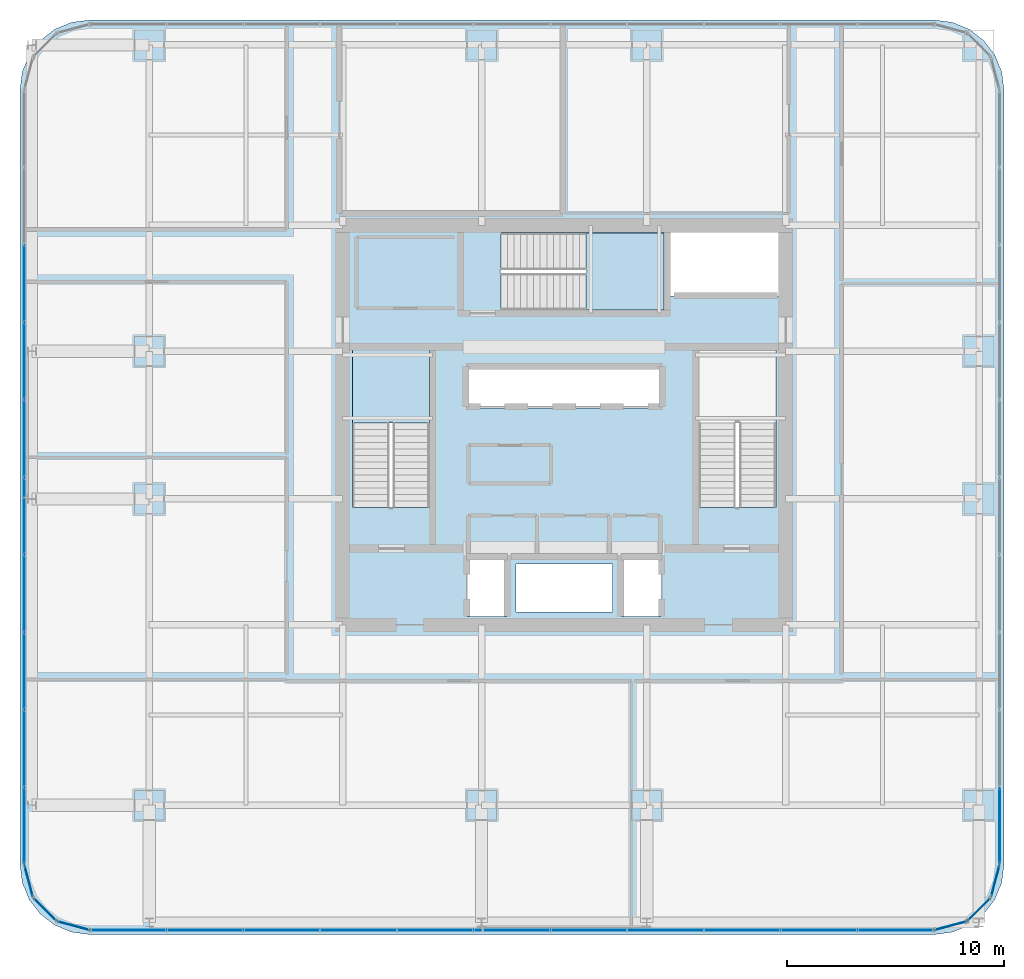
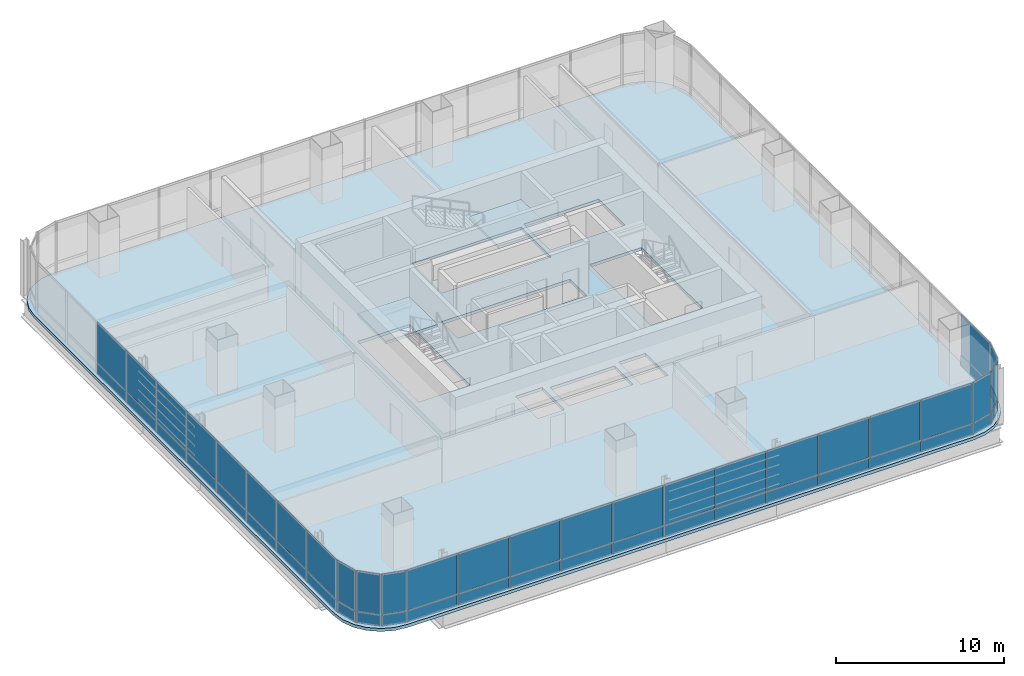
# One storey, part 27 of 36: 52 plates, 3 slabs, 11 elements without a shape of their own.
"""IFC4 building model written with IfcOpenShell, lengths in metres."""

from ifc_helpers import new_model, si_unit, direction, frame, origin, origin_2d, place, context, subcontext, project, spatial, polyline, rectangle, outline, extrude, material, layer, layer_set, type_object, element, aggregate, save


model = new_model("IFC4")

# Units and contexts
model_context = context("Model", 3, precision=1e-05, world=origin(), true_north=direction((0.0, 1.0)))
body_context = subcontext(model_context, "Body", "Model", "MODEL_VIEW")
ifc_project = project(units=[si_unit("LENGTHUNIT", "METRE"), si_unit("AREAUNIT", "SQUARE_METRE"), si_unit("VOLUMEUNIT", "CUBIC_METRE"), si_unit("PLANEANGLEUNIT", "RADIAN"), si_unit("MASSUNIT", "GRAM", prefix="KILO")], contexts=[model_context])

# Site, building, storey
site_placement = place(None, origin())
site = spatial("IfcSite", under=ifc_project, at=site_placement, CompositionType="ELEMENT")
building_placement = place(site_placement, origin())
building = spatial("IfcBuilding", under=site, at=building_placement, Name="Punatoya Terracotta Tower", CompositionType="ELEMENT")
storey_placement = place(building_placement, frame((0.0, 0.0, 184.35009765625)))
storey = spatial("IfcBuildingStorey", under=building, at=storey_placement, Name="L43", CompositionType="ELEMENT", Elevation=184.35009765625)

# Curtain wall, plates
ifc_material_1 = material(Name="Aluminium 6063-T6 + Double Low-E Glass", Category="aluminium")
curtain_wall_type = type_object("IfcCurtainWallType", Name="CW-M2", PredefinedType="NOTDEFINED", material=ifc_material_1)
curtain_wall_1_placement = place(storey_placement, origin())
curtain_wall_1 = element("IfcCurtainWall", 1, at=curtain_wall_1_placement, inside=storey, type_object=curtain_wall_type, Name="L43 Curtain Wall CW-L43-S01-1", PredefinedType="NOTDEFINED")
ifc_material_2 = material(Name="Double Low-E Acoustic Vision Glass", Category="glass")
ifc_layer_1 = layer(ifc_material_2, 0.031982421875)
ifc_layer_set_1 = layer_set([ifc_layer_1], Name="Double Low-E Acoustic Vision Glass")
plate_type_1 = type_object("IfcPlateType", Name="PLT-GLZ-32", PredefinedType="CURTAIN_PANEL", material=ifc_layer_set_1)
plate_1_placement = place(storey_placement, frame((-20.06982421875, -23.25, 0.889892578125), z_axis=(0.0, 0.0, 1.0), x_axis=(1.0, 0.0, 0.0)))
plate_1 = element("IfcPlate", 2, at=plate_1_placement, type_object=plate_type_1, Name="CW-L43-S01-1 Vision Glass Panel 1", PredefinedType="CURTAIN_PANEL", context=body_context, shape_type="SweptSolid", body=[
    extrude(rectangle(XDim=3.448974609375, YDim=0.031982421875, at=origin_2d()), origin(), (0.0, 0.0, 1.0), 2.89990234375),
])
plate_2_placement = place(storey_placement, frame((-16.535888671875, -23.25, 0.889892578125), z_axis=(0.0, 0.0, 1.0), x_axis=(1.0, 0.0, 0.0)))
plate_2 = element("IfcPlate", 3, at=plate_2_placement, type_object=plate_type_1, Name="CW-L43-S01-1 Vision Glass Panel 2", PredefinedType="CURTAIN_PANEL", context=body_context, shape_type="SweptSolid", body=[
    extrude(rectangle(XDim=3.448974609375, YDim=0.031982421875, at=origin_2d()), origin(), (0.0, 0.0, 1.0), 2.89990234375),
])
plate_3_placement = place(storey_placement, frame((-13.001953125, -23.25, 0.889892578125), z_axis=(0.0, 0.0, 1.0), x_axis=(1.0, 0.0, 0.0)))
plate_3 = element("IfcPlate", 4, at=plate_3_placement, type_object=plate_type_1, Name="CW-L43-S01-1 Vision Glass Panel 3", PredefinedType="CURTAIN_PANEL", context=body_context, shape_type="SweptSolid", body=[
    extrude(rectangle(XDim=3.448974609375, YDim=0.031982421875, at=origin_2d()), origin(), (0.0, 0.0, 1.0), 2.89990234375),
])
plate_4_placement = place(storey_placement, frame((-9.468017578125, -23.25, 0.889892578125), z_axis=(0.0, 0.0, 1.0), x_axis=(1.0, 0.0, 0.0)))
plate_4 = element("IfcPlate", 5, at=plate_4_placement, type_object=plate_type_1, Name="CW-L43-S01-1 Vision Glass Panel 4", PredefinedType="CURTAIN_PANEL", context=body_context, shape_type="SweptSolid", body=[
    extrude(rectangle(XDim=3.448974609375, YDim=0.031982421875, at=origin_2d()), origin(), (0.0, 0.0, 1.0), 2.89990234375),
])
plate_5_placement = place(storey_placement, frame((-5.93408203125, -23.25, 0.889892578125), z_axis=(0.0, 0.0, 1.0), x_axis=(1.0, 0.0, 0.0)))
plate_5 = element("IfcPlate", 6, at=plate_5_placement, type_object=plate_type_1, Name="CW-L43-S01-1 Vision Glass Panel 5", PredefinedType="CURTAIN_PANEL", context=body_context, shape_type="SweptSolid", body=[
    extrude(rectangle(XDim=3.448974609375, YDim=0.031982421875, at=origin_2d()), origin(), (0.0, 0.0, 1.0), 2.89990234375),
])
plate_6_placement = place(storey_placement, frame((-2.39990234375, -23.25, 0.889892578125), z_axis=(0.0, 0.0, 1.0), x_axis=(1.0, 0.0, 0.0)))
plate_6 = element("IfcPlate", 7, at=plate_6_placement, type_object=plate_type_1, Name="CW-L43-S01-1 Vision Glass Panel 6", PredefinedType="CURTAIN_PANEL", context=body_context, shape_type="SweptSolid", body=[
    extrude(rectangle(XDim=3.448974609375, YDim=0.031982421875, at=origin_2d()), origin(), (0.0, 0.0, 1.0), 2.89990234375),
])
plate_7_placement = place(storey_placement, frame((1.134033203125, -23.25, 0.889892578125), z_axis=(0.0, 0.0, 1.0), x_axis=(1.0, 0.0, 0.0)))
plate_7 = element("IfcPlate", 8, at=plate_7_placement, type_object=plate_type_1, Name="CW-L43-S01-1 Vision Glass Panel 7", PredefinedType="CURTAIN_PANEL", context=body_context, shape_type="SweptSolid", body=[
    extrude(rectangle(XDim=3.448974609375, YDim=0.031982421875, at=origin_2d()), origin(), (0.0, 0.0, 1.0), 2.89990234375),
])
plate_8_placement = place(storey_placement, frame((4.66796875, -23.25, 0.889892578125), z_axis=(0.0, 0.0, 1.0), x_axis=(1.0, 0.0, 0.0)))
plate_8 = element("IfcPlate", 9, at=plate_8_placement, type_object=plate_type_1, Name="CW-L43-S01-1 Vision Glass Panel 8", PredefinedType="CURTAIN_PANEL", context=body_context, shape_type="SweptSolid", body=[
    extrude(rectangle(XDim=3.448974609375, YDim=0.031982421875, at=origin_2d()), origin(), (0.0, 0.0, 1.0), 2.89990234375),
])
plate_9_placement = place(storey_placement, frame((8.201904296875, -23.25, 0.889892578125), z_axis=(0.0, 0.0, 1.0), x_axis=(1.0, 0.0, 0.0)))
plate_9 = element("IfcPlate", 10, at=plate_9_placement, type_object=plate_type_1, Name="CW-L43-S01-1 Vision Glass Panel 9", PredefinedType="CURTAIN_PANEL", context=body_context, shape_type="SweptSolid", body=[
    extrude(rectangle(XDim=3.448974609375, YDim=0.031982421875, at=origin_2d()), origin(), (0.0, 0.0, 1.0), 2.89990234375),
])
plate_10_placement = place(storey_placement, frame((11.73583984375, -23.25, 0.889892578125), z_axis=(0.0, 0.0, 1.0), x_axis=(1.0, 0.0, 0.0)))
plate_10 = element("IfcPlate", 11, at=plate_10_placement, type_object=plate_type_1, Name="CW-L43-S01-1 Vision Glass Panel 10", PredefinedType="CURTAIN_PANEL", context=body_context, shape_type="SweptSolid", body=[
    extrude(rectangle(XDim=3.448974609375, YDim=0.031982421875, at=origin_2d()), origin(), (0.0, 0.0, 1.0), 2.89990234375),
])
plate_11_placement = place(storey_placement, frame((15.27001953125, -23.25, 0.889892578125), z_axis=(0.0, 0.0, 1.0), x_axis=(1.0, 0.0, 0.0)))
plate_11 = element("IfcPlate", 12, at=plate_11_placement, type_object=plate_type_1, Name="CW-L43-S01-1 Vision Glass Panel 11", PredefinedType="CURTAIN_PANEL", context=body_context, shape_type="SweptSolid", body=[
    extrude(rectangle(XDim=3.448974609375, YDim=0.031982421875, at=origin_2d()), origin(), (0.0, 0.0, 1.0), 2.89990234375),
])

# Curtain wall, plate
curtain_wall_2_placement = place(storey_placement, origin())
curtain_wall_2 = element("IfcCurtainWall", 13, at=curtain_wall_2_placement, inside=storey, type_object=curtain_wall_type, Name="L43 Curtain Wall CW-L43-CRN02", PredefinedType="NOTDEFINED")
plate_12_placement = place(storey_placement, frame((17.79296875, -23.04833984375, 0.889892578125), z_axis=(0.0, 0.0, 1.0), x_axis=(0.966213877436, 0.257741620719, 0.0)))
plate_12 = element("IfcPlate", 14, at=plate_12_placement, type_object=plate_type_1, Name="CW-L43-CRN02 Vision Glass Panel 1", PredefinedType="CURTAIN_PANEL", context=body_context, shape_type="SweptSolid", body=[
    extrude(rectangle(XDim=1.47998046875, YDim=0.031982421875, at=origin_2d()), origin(), (0.0, 0.0, 1.0), 2.89990234375),
])

curtain_wall_3_placement = place(storey_placement, origin())
curtain_wall_3 = element("IfcCurtainWall", 15, at=curtain_wall_3_placement, inside=storey, type_object=curtain_wall_type, Name="L43 Curtain Wall CW-L43-CRN03", PredefinedType="NOTDEFINED")
plate_13_placement = place(storey_placement, frame((19.097900390625, -22.2978515625, 0.889892578125), z_axis=(0.0, 0.0, 1.0), x_axis=(0.707106781187, 0.707106781187, 0.0)))
plate_13 = element("IfcPlate", 16, at=plate_13_placement, type_object=plate_type_1, Name="CW-L43-CRN03 Vision Glass Panel 1", PredefinedType="CURTAIN_PANEL", context=body_context, shape_type="SweptSolid", body=[
    extrude(rectangle(XDim=1.467041015625, YDim=0.031982421875, at=origin_2d()), origin(), (0.0, 0.0, 1.0), 2.89990234375),
])

curtain_wall_4_placement = place(storey_placement, origin())
curtain_wall_4 = element("IfcCurtainWall", 17, at=curtain_wall_4_placement, inside=storey, type_object=curtain_wall_type, Name="L43 Curtain Wall CW-L43-CRN04", PredefinedType="NOTDEFINED")
plate_14_placement = place(storey_placement, frame((19.848388671875, -20.992919921875, 0.889892578125), z_axis=(0.0, 0.0, 1.0), x_axis=(0.257741620719, 0.966213877436, 0.0)))
plate_14 = element("IfcPlate", 18, at=plate_14_placement, type_object=plate_type_1, Name="CW-L43-CRN04 Vision Glass Panel 1", PredefinedType="CURTAIN_PANEL", context=body_context, shape_type="SweptSolid", body=[
    extrude(rectangle(XDim=1.47998046875, YDim=0.031982421875, at=origin_2d()), origin(), (0.0, 0.0, 1.0), 2.89990234375),
])

curtain_wall_5_placement = place(storey_placement, origin())
curtain_wall_5 = element("IfcCurtainWall", 19, at=curtain_wall_5_placement, inside=storey, type_object=curtain_wall_type, Name="L43 Curtain Wall CW-L43-E05-1", PredefinedType="NOTDEFINED")
plate_15_placement = place(storey_placement, frame((20.050048828125, -18.453125, 0.889892578125), z_axis=(0.0, 0.0, 1.0), x_axis=(0.0, 1.0, 0.0)))
plate_15 = element("IfcPlate", 20, at=plate_15_placement, type_object=plate_type_1, Name="CW-L43-E05-1 Vision Glass Panel 1", PredefinedType="CURTAIN_PANEL", context=body_context, shape_type="SweptSolid", body=[
    extrude(rectangle(XDim=3.482421875, YDim=0.031982421875, at=origin_2d()), origin(), (0.0, 0.0, 1.0), 2.89990234375),
])

# Curtain wall, plates
curtain_wall_6_placement = place(storey_placement, origin())
curtain_wall_6 = element("IfcCurtainWall", 21, at=curtain_wall_6_placement, inside=storey, type_object=curtain_wall_type, Name="L43 Curtain Wall CW-L43-W13-1", PredefinedType="NOTDEFINED")
plate_16_placement = place(storey_placement, frame((-24.85009765625, 6.518310546875, 0.889892578125), z_axis=(0.0, 0.0, 1.0), x_axis=(0.0, -1.0, 0.0)))
plate_16 = element("IfcPlate", 22, at=plate_16_placement, type_object=plate_type_1, Name="CW-L43-W13-1 Vision Glass Panel 3", PredefinedType="CURTAIN_PANEL", context=body_context, shape_type="SweptSolid", body=[
    extrude(rectangle(XDim=3.482421875, YDim=0.031982421875, at=origin_2d()), origin(), (0.0, 0.0, 1.0), 2.89990234375),
])
plate_17_placement = place(storey_placement, frame((-24.85009765625, 2.951171875, 0.889892578125), z_axis=(0.0, 0.0, 1.0), x_axis=(0.0, -1.0, 0.0)))
plate_17 = element("IfcPlate", 23, at=plate_17_placement, type_object=plate_type_1, Name="CW-L43-W13-1 Vision Glass Panel 4", PredefinedType="CURTAIN_PANEL", context=body_context, shape_type="SweptSolid", body=[
    extrude(rectangle(XDim=3.482421875, YDim=0.031982421875, at=origin_2d()), origin(), (0.0, 0.0, 1.0), 2.89990234375),
])
plate_18_placement = place(storey_placement, frame((-24.85009765625, -0.6162109375, 0.889892578125), z_axis=(0.0, 0.0, 1.0), x_axis=(0.0, -1.0, 0.0)))
plate_18 = element("IfcPlate", 24, at=plate_18_placement, type_object=plate_type_1, Name="CW-L43-W13-1 Vision Glass Panel 5", PredefinedType="CURTAIN_PANEL", context=body_context, shape_type="SweptSolid", body=[
    extrude(rectangle(XDim=3.482421875, YDim=0.031982421875, at=origin_2d()), origin(), (0.0, 0.0, 1.0), 2.89990234375),
])
plate_19_placement = place(storey_placement, frame((-24.85009765625, -4.18359375, 0.889892578125), z_axis=(0.0, 0.0, 1.0), x_axis=(0.0, -1.0, 0.0)))
plate_19 = element("IfcPlate", 25, at=plate_19_placement, type_object=plate_type_1, Name="CW-L43-W13-1 Vision Glass Panel 6", PredefinedType="CURTAIN_PANEL", context=body_context, shape_type="SweptSolid", body=[
    extrude(rectangle(XDim=3.482421875, YDim=0.031982421875, at=origin_2d()), origin(), (0.0, 0.0, 1.0), 2.89990234375),
])
plate_20_placement = place(storey_placement, frame((-24.85009765625, -7.751220703125, 0.889892578125), z_axis=(0.0, 0.0, 1.0), x_axis=(0.0, -1.0, 0.0)))
plate_20 = element("IfcPlate", 26, at=plate_20_placement, type_object=plate_type_1, Name="CW-L43-W13-1 Vision Glass Panel 7", PredefinedType="CURTAIN_PANEL", context=body_context, shape_type="SweptSolid", body=[
    extrude(rectangle(XDim=3.482421875, YDim=0.031982421875, at=origin_2d()), origin(), (0.0, 0.0, 1.0), 2.89990234375),
])
plate_21_placement = place(storey_placement, frame((-24.85009765625, -11.318359375, 0.889892578125), z_axis=(0.0, 0.0, 1.0), x_axis=(0.0, -1.0, 0.0)))
plate_21 = element("IfcPlate", 27, at=plate_21_placement, type_object=plate_type_1, Name="CW-L43-W13-1 Vision Glass Panel 8", PredefinedType="CURTAIN_PANEL", context=body_context, shape_type="SweptSolid", body=[
    extrude(rectangle(XDim=3.482421875, YDim=0.031982421875, at=origin_2d()), origin(), (0.0, 0.0, 1.0), 2.89990234375),
])
plate_22_placement = place(storey_placement, frame((-24.85009765625, -14.8857421875, 0.889892578125), z_axis=(0.0, 0.0, 1.0), x_axis=(0.0, -1.0, 0.0)))
plate_22 = element("IfcPlate", 28, at=plate_22_placement, type_object=plate_type_1, Name="CW-L43-W13-1 Vision Glass Panel 9", PredefinedType="CURTAIN_PANEL", context=body_context, shape_type="SweptSolid", body=[
    extrude(rectangle(XDim=3.482421875, YDim=0.031982421875, at=origin_2d()), origin(), (0.0, 0.0, 1.0), 2.89990234375),
])
plate_23_placement = place(storey_placement, frame((-24.85009765625, -18.453125, 0.889892578125), z_axis=(0.0, 0.0, 1.0), x_axis=(0.0, -1.0, 0.0)))
plate_23 = element("IfcPlate", 29, at=plate_23_placement, type_object=plate_type_1, Name="CW-L43-W13-1 Vision Glass Panel 10", PredefinedType="CURTAIN_PANEL", context=body_context, shape_type="SweptSolid", body=[
    extrude(rectangle(XDim=3.482421875, YDim=0.031982421875, at=origin_2d()), origin(), (0.0, 0.0, 1.0), 2.89990234375),
])

# Curtain wall, plate
curtain_wall_7_placement = place(storey_placement, origin())
curtain_wall_7 = element("IfcCurtainWall", 30, at=curtain_wall_7_placement, inside=storey, type_object=curtain_wall_type, Name="L43 Curtain Wall CW-L43-CRN14", PredefinedType="NOTDEFINED")
plate_24_placement = place(storey_placement, frame((-24.648193359375, -20.992919921875, 0.889892578125), z_axis=(0.0, 0.0, 1.0), x_axis=(0.257741620719, -0.966213877436, 0.0)))
plate_24 = element("IfcPlate", 31, at=plate_24_placement, type_object=plate_type_1, Name="CW-L43-CRN14 Vision Glass Panel 1", PredefinedType="CURTAIN_PANEL", context=body_context, shape_type="SweptSolid", body=[
    extrude(rectangle(XDim=1.47998046875, YDim=0.031982421875, at=origin_2d()), origin(), (0.0, 0.0, 1.0), 2.89990234375),
])

curtain_wall_8_placement = place(storey_placement, origin())
curtain_wall_8 = element("IfcCurtainWall", 32, at=curtain_wall_8_placement, inside=storey, type_object=curtain_wall_type, Name="L43 Curtain Wall CW-L43-CRN15", PredefinedType="NOTDEFINED")
plate_25_placement = place(storey_placement, frame((-23.89794921875, -22.2978515625, 0.889892578125), z_axis=(0.0, 0.0, 1.0), x_axis=(0.707106781187, -0.707106781187, 0.0)))
plate_25 = element("IfcPlate", 33, at=plate_25_placement, type_object=plate_type_1, Name="CW-L43-CRN15 Vision Glass Panel 1", PredefinedType="CURTAIN_PANEL", context=body_context, shape_type="SweptSolid", body=[
    extrude(rectangle(XDim=1.467041015625, YDim=0.031982421875, at=origin_2d()), origin(), (0.0, 0.0, 1.0), 2.89990234375),
])

curtain_wall_9_placement = place(storey_placement, origin())
curtain_wall_9 = element("IfcCurtainWall", 34, at=curtain_wall_9_placement, inside=storey, type_object=curtain_wall_type, Name="L43 Curtain Wall CW-L43-CRN16", PredefinedType="NOTDEFINED")
plate_26_placement = place(storey_placement, frame((-22.593017578125, -23.04833984375, 0.889892578125), z_axis=(0.0, 0.0, 1.0), x_axis=(0.966213877436, -0.257741620719, 0.0)))
plate_26 = element("IfcPlate", 35, at=plate_26_placement, type_object=plate_type_1, Name="CW-L43-CRN16 Vision Glass Panel 1", PredefinedType="CURTAIN_PANEL", context=body_context, shape_type="SweptSolid", body=[
    extrude(rectangle(XDim=1.47998046875, YDim=0.031982421875, at=origin_2d()), origin(), (0.0, 0.0, 1.0), 2.89990234375),
])

# Plate
ifc_material_3 = material(Name="Insulated Terracotta-Backed Spandrel Panel", Category="masonry")
ifc_layer_2 = layer(ifc_material_3, 0.044921875)
ifc_layer_set_2 = layer_set([ifc_layer_2], Name="Insulated Terracotta-Backed Spandrel Panel")
plate_type_2 = type_object("IfcPlateType", Name="PLT-SPN-45", PredefinedType="CURTAIN_PANEL", material=ifc_layer_set_2)
plate_27_placement = place(storey_placement, frame((-20.06982421875, -23.25, 0.0400390625), z_axis=(0.0, 0.0, 1.0), x_axis=(1.0, 0.0, 0.0)))
plate_27 = element("IfcPlate", 36, at=plate_27_placement, type_object=plate_type_2, Name="CW-L43-S01-1 Terracotta Spandrel Panel 1", PredefinedType="CURTAIN_PANEL", context=body_context, shape_type="SweptSolid", body=[
    extrude(rectangle(XDim=3.448974609375, YDim=0.044921875, at=origin_2d()), origin(), (0.0, 0.0, 1.0), 0.77490234375),
])

plate_28_placement = place(storey_placement, frame((-16.535888671875, -23.25, 0.0400390625), z_axis=(0.0, 0.0, 1.0), x_axis=(1.0, 0.0, 0.0)))
plate_28 = element("IfcPlate", 37, at=plate_28_placement, type_object=plate_type_2, Name="CW-L43-S01-1 Terracotta Spandrel Panel 2", PredefinedType="CURTAIN_PANEL", context=body_context, shape_type="SweptSolid", body=[
    extrude(rectangle(XDim=3.448974609375, YDim=0.044921875, at=origin_2d()), origin(), (0.0, 0.0, 1.0), 0.77490234375),
])

plate_29_placement = place(storey_placement, frame((-13.001953125, -23.25, 0.0400390625), z_axis=(0.0, 0.0, 1.0), x_axis=(1.0, 0.0, 0.0)))
plate_29 = element("IfcPlate", 38, at=plate_29_placement, type_object=plate_type_2, Name="CW-L43-S01-1 Terracotta Spandrel Panel 3", PredefinedType="CURTAIN_PANEL", context=body_context, shape_type="SweptSolid", body=[
    extrude(rectangle(XDim=3.448974609375, YDim=0.044921875, at=origin_2d()), origin(), (0.0, 0.0, 1.0), 0.77490234375),
])

plate_30_placement = place(storey_placement, frame((-9.468017578125, -23.25, 0.0400390625), z_axis=(0.0, 0.0, 1.0), x_axis=(1.0, 0.0, 0.0)))
plate_30 = element("IfcPlate", 39, at=plate_30_placement, type_object=plate_type_2, Name="CW-L43-S01-1 Terracotta Spandrel Panel 4", PredefinedType="CURTAIN_PANEL", context=body_context, shape_type="SweptSolid", body=[
    extrude(rectangle(XDim=3.448974609375, YDim=0.044921875, at=origin_2d()), origin(), (0.0, 0.0, 1.0), 0.77490234375),
])

plate_31_placement = place(storey_placement, frame((-5.93408203125, -23.25, 0.0400390625), z_axis=(0.0, 0.0, 1.0), x_axis=(1.0, 0.0, 0.0)))
plate_31 = element("IfcPlate", 40, at=plate_31_placement, type_object=plate_type_2, Name="CW-L43-S01-1 Terracotta Spandrel Panel 5", PredefinedType="CURTAIN_PANEL", context=body_context, shape_type="SweptSolid", body=[
    extrude(rectangle(XDim=3.448974609375, YDim=0.044921875, at=origin_2d()), origin(), (0.0, 0.0, 1.0), 0.77490234375),
])

plate_32_placement = place(storey_placement, frame((-2.39990234375, -23.25, 0.0400390625), z_axis=(0.0, 0.0, 1.0), x_axis=(1.0, 0.0, 0.0)))
plate_32 = element("IfcPlate", 41, at=plate_32_placement, type_object=plate_type_2, Name="CW-L43-S01-1 Terracotta Spandrel Panel 6", PredefinedType="CURTAIN_PANEL", context=body_context, shape_type="SweptSolid", body=[
    extrude(rectangle(XDim=3.448974609375, YDim=0.044921875, at=origin_2d()), origin(), (0.0, 0.0, 1.0), 0.77490234375),
])

plate_33_placement = place(storey_placement, frame((1.134033203125, -23.25, 0.0400390625), z_axis=(0.0, 0.0, 1.0), x_axis=(1.0, 0.0, 0.0)))
plate_33 = element("IfcPlate", 42, at=plate_33_placement, type_object=plate_type_2, Name="CW-L43-S01-1 Terracotta Spandrel Panel 7", PredefinedType="CURTAIN_PANEL", context=body_context, shape_type="SweptSolid", body=[
    extrude(rectangle(XDim=3.448974609375, YDim=0.044921875, at=origin_2d()), origin(), (0.0, 0.0, 1.0), 0.77490234375),
])

plate_34_placement = place(storey_placement, frame((4.66796875, -23.25, 0.0400390625), z_axis=(0.0, 0.0, 1.0), x_axis=(1.0, 0.0, 0.0)))
plate_34 = element("IfcPlate", 43, at=plate_34_placement, type_object=plate_type_2, Name="CW-L43-S01-1 Terracotta Spandrel Panel 8", PredefinedType="CURTAIN_PANEL", context=body_context, shape_type="SweptSolid", body=[
    extrude(rectangle(XDim=3.448974609375, YDim=0.044921875, at=origin_2d()), origin(), (0.0, 0.0, 1.0), 0.77490234375),
])

plate_35_placement = place(storey_placement, frame((8.201904296875, -23.25, 0.0400390625), z_axis=(0.0, 0.0, 1.0), x_axis=(1.0, 0.0, 0.0)))
plate_35 = element("IfcPlate", 44, at=plate_35_placement, type_object=plate_type_2, Name="CW-L43-S01-1 Terracotta Spandrel Panel 9", PredefinedType="CURTAIN_PANEL", context=body_context, shape_type="SweptSolid", body=[
    extrude(rectangle(XDim=3.448974609375, YDim=0.044921875, at=origin_2d()), origin(), (0.0, 0.0, 1.0), 0.77490234375),
])

plate_36_placement = place(storey_placement, frame((11.73583984375, -23.25, 0.0400390625), z_axis=(0.0, 0.0, 1.0), x_axis=(1.0, 0.0, 0.0)))
plate_36 = element("IfcPlate", 45, at=plate_36_placement, type_object=plate_type_2, Name="CW-L43-S01-1 Terracotta Spandrel Panel 10", PredefinedType="CURTAIN_PANEL", context=body_context, shape_type="SweptSolid", body=[
    extrude(rectangle(XDim=3.448974609375, YDim=0.044921875, at=origin_2d()), origin(), (0.0, 0.0, 1.0), 0.77490234375),
])

plate_37_placement = place(storey_placement, frame((15.27001953125, -23.25, 0.0400390625), z_axis=(0.0, 0.0, 1.0), x_axis=(1.0, 0.0, 0.0)))
plate_37 = element("IfcPlate", 46, at=plate_37_placement, type_object=plate_type_2, Name="CW-L43-S01-1 Terracotta Spandrel Panel 11", PredefinedType="CURTAIN_PANEL", context=body_context, shape_type="SweptSolid", body=[
    extrude(rectangle(XDim=3.448974609375, YDim=0.044921875, at=origin_2d()), origin(), (0.0, 0.0, 1.0), 0.77490234375),
])

aggregate(curtain_wall_1, [plate_27, plate_1, plate_28, plate_2, plate_29, plate_3, plate_30, plate_4, plate_31, plate_5, plate_32, plate_6, plate_33, plate_7, plate_34, plate_8, plate_35, plate_9, plate_36, plate_10, plate_37, plate_11])

plate_38_placement = place(storey_placement, frame((17.79296875, -23.04833984375, 0.0400390625), z_axis=(0.0, 0.0, 1.0), x_axis=(0.966213877436, 0.257741620719, 0.0)))
plate_38 = element("IfcPlate", 47, at=plate_38_placement, type_object=plate_type_2, Name="CW-L43-CRN02 Terracotta Spandrel Panel 1", PredefinedType="CURTAIN_PANEL", context=body_context, shape_type="SweptSolid", body=[
    extrude(rectangle(XDim=1.47998046875, YDim=0.044921875, at=origin_2d()), origin(), (0.0, 0.0, 1.0), 0.77490234375),
])

aggregate(curtain_wall_2, [plate_38, plate_12])

plate_39_placement = place(storey_placement, frame((19.097900390625, -22.2978515625, 0.0400390625), z_axis=(0.0, 0.0, 1.0), x_axis=(0.707106781187, 0.707106781187, 0.0)))
plate_39 = element("IfcPlate", 48, at=plate_39_placement, type_object=plate_type_2, Name="CW-L43-CRN03 Terracotta Spandrel Panel 1", PredefinedType="CURTAIN_PANEL", context=body_context, shape_type="SweptSolid", body=[
    extrude(rectangle(XDim=1.467041015625, YDim=0.044921875, at=origin_2d()), origin(), (0.0, 0.0, 1.0), 0.77490234375),
])

aggregate(curtain_wall_3, [plate_39, plate_13])

plate_40_placement = place(storey_placement, frame((19.848388671875, -20.992919921875, 0.0400390625), z_axis=(0.0, 0.0, 1.0), x_axis=(0.257741620719, 0.966213877436, 0.0)))
plate_40 = element("IfcPlate", 49, at=plate_40_placement, type_object=plate_type_2, Name="CW-L43-CRN04 Terracotta Spandrel Panel 1", PredefinedType="CURTAIN_PANEL", context=body_context, shape_type="SweptSolid", body=[
    extrude(rectangle(XDim=1.47998046875, YDim=0.044921875, at=origin_2d()), origin(), (0.0, 0.0, 1.0), 0.77490234375),
])

aggregate(curtain_wall_4, [plate_40, plate_14])

plate_41_placement = place(storey_placement, frame((20.050048828125, -18.453125, 0.0400390625), z_axis=(0.0, 0.0, 1.0), x_axis=(0.0, 1.0, 0.0)))
plate_41 = element("IfcPlate", 50, at=plate_41_placement, type_object=plate_type_2, Name="CW-L43-E05-1 Terracotta Spandrel Panel 1", PredefinedType="CURTAIN_PANEL", context=body_context, shape_type="SweptSolid", body=[
    extrude(rectangle(XDim=3.482421875, YDim=0.044921875, at=origin_2d()), origin(), (0.0, 0.0, 1.0), 0.77490234375),
])

aggregate(curtain_wall_5, [plate_41, plate_15])

plate_42_placement = place(storey_placement, frame((-24.85009765625, 6.518310546875, 0.0400390625), z_axis=(0.0, 0.0, 1.0), x_axis=(0.0, -1.0, 0.0)))
plate_42 = element("IfcPlate", 51, at=plate_42_placement, type_object=plate_type_2, Name="CW-L43-W13-1 Terracotta Spandrel Panel 3", PredefinedType="CURTAIN_PANEL", context=body_context, shape_type="SweptSolid", body=[
    extrude(rectangle(XDim=3.482421875, YDim=0.044921875, at=origin_2d()), origin(), (0.0, 0.0, 1.0), 0.77490234375),
])

plate_43_placement = place(storey_placement, frame((-24.85009765625, 2.951171875, 0.0400390625), z_axis=(0.0, 0.0, 1.0), x_axis=(0.0, -1.0, 0.0)))
plate_43 = element("IfcPlate", 52, at=plate_43_placement, type_object=plate_type_2, Name="CW-L43-W13-1 Terracotta Spandrel Panel 4", PredefinedType="CURTAIN_PANEL", context=body_context, shape_type="SweptSolid", body=[
    extrude(rectangle(XDim=3.482421875, YDim=0.044921875, at=origin_2d()), origin(), (0.0, 0.0, 1.0), 0.77490234375),
])

plate_44_placement = place(storey_placement, frame((-24.85009765625, -0.6162109375, 0.0400390625), z_axis=(0.0, 0.0, 1.0), x_axis=(0.0, -1.0, 0.0)))
plate_44 = element("IfcPlate", 53, at=plate_44_placement, type_object=plate_type_2, Name="CW-L43-W13-1 Terracotta Spandrel Panel 5", PredefinedType="CURTAIN_PANEL", context=body_context, shape_type="SweptSolid", body=[
    extrude(rectangle(XDim=3.482421875, YDim=0.044921875, at=origin_2d()), origin(), (0.0, 0.0, 1.0), 0.77490234375),
])

plate_45_placement = place(storey_placement, frame((-24.85009765625, -4.18359375, 0.0400390625), z_axis=(0.0, 0.0, 1.0), x_axis=(0.0, -1.0, 0.0)))
plate_45 = element("IfcPlate", 54, at=plate_45_placement, type_object=plate_type_2, Name="CW-L43-W13-1 Terracotta Spandrel Panel 6", PredefinedType="CURTAIN_PANEL", context=body_context, shape_type="SweptSolid", body=[
    extrude(rectangle(XDim=3.482421875, YDim=0.044921875, at=origin_2d()), origin(), (0.0, 0.0, 1.0), 0.77490234375),
])

plate_46_placement = place(storey_placement, frame((-24.85009765625, -7.751220703125, 0.0400390625), z_axis=(0.0, 0.0, 1.0), x_axis=(0.0, -1.0, 0.0)))
plate_46 = element("IfcPlate", 55, at=plate_46_placement, type_object=plate_type_2, Name="CW-L43-W13-1 Terracotta Spandrel Panel 7", PredefinedType="CURTAIN_PANEL", context=body_context, shape_type="SweptSolid", body=[
    extrude(rectangle(XDim=3.482421875, YDim=0.044921875, at=origin_2d()), origin(), (0.0, 0.0, 1.0), 0.77490234375),
])

plate_47_placement = place(storey_placement, frame((-24.85009765625, -11.318359375, 0.0400390625), z_axis=(0.0, 0.0, 1.0), x_axis=(0.0, -1.0, 0.0)))
plate_47 = element("IfcPlate", 56, at=plate_47_placement, type_object=plate_type_2, Name="CW-L43-W13-1 Terracotta Spandrel Panel 8", PredefinedType="CURTAIN_PANEL", context=body_context, shape_type="SweptSolid", body=[
    extrude(rectangle(XDim=3.482421875, YDim=0.044921875, at=origin_2d()), origin(), (0.0, 0.0, 1.0), 0.77490234375),
])

plate_48_placement = place(storey_placement, frame((-24.85009765625, -14.8857421875, 0.0400390625), z_axis=(0.0, 0.0, 1.0), x_axis=(0.0, -1.0, 0.0)))
plate_48 = element("IfcPlate", 57, at=plate_48_placement, type_object=plate_type_2, Name="CW-L43-W13-1 Terracotta Spandrel Panel 9", PredefinedType="CURTAIN_PANEL", context=body_context, shape_type="SweptSolid", body=[
    extrude(rectangle(XDim=3.482421875, YDim=0.044921875, at=origin_2d()), origin(), (0.0, 0.0, 1.0), 0.77490234375),
])

plate_49_placement = place(storey_placement, frame((-24.85009765625, -18.453125, 0.0400390625), z_axis=(0.0, 0.0, 1.0), x_axis=(0.0, -1.0, 0.0)))
plate_49 = element("IfcPlate", 58, at=plate_49_placement, type_object=plate_type_2, Name="CW-L43-W13-1 Terracotta Spandrel Panel 10", PredefinedType="CURTAIN_PANEL", context=body_context, shape_type="SweptSolid", body=[
    extrude(rectangle(XDim=3.482421875, YDim=0.044921875, at=origin_2d()), origin(), (0.0, 0.0, 1.0), 0.77490234375),
])

aggregate(curtain_wall_6, [plate_42, plate_16, plate_43, plate_17, plate_44, plate_18, plate_45, plate_19, plate_46, plate_20, plate_47, plate_21, plate_48, plate_22, plate_49, plate_23])

plate_50_placement = place(storey_placement, frame((-24.648193359375, -20.992919921875, 0.0400390625), z_axis=(0.0, 0.0, 1.0), x_axis=(0.257741620719, -0.966213877436, 0.0)))
plate_50 = element("IfcPlate", 59, at=plate_50_placement, type_object=plate_type_2, Name="CW-L43-CRN14 Terracotta Spandrel Panel 1", PredefinedType="CURTAIN_PANEL", context=body_context, shape_type="SweptSolid", body=[
    extrude(rectangle(XDim=1.47998046875, YDim=0.044921875, at=origin_2d()), origin(), (0.0, 0.0, 1.0), 0.77490234375),
])

aggregate(curtain_wall_7, [plate_50, plate_24])

plate_51_placement = place(storey_placement, frame((-23.89794921875, -22.2978515625, 0.0400390625), z_axis=(0.0, 0.0, 1.0), x_axis=(0.707106781187, -0.707106781187, 0.0)))
plate_51 = element("IfcPlate", 60, at=plate_51_placement, type_object=plate_type_2, Name="CW-L43-CRN15 Terracotta Spandrel Panel 1", PredefinedType="CURTAIN_PANEL", context=body_context, shape_type="SweptSolid", body=[
    extrude(rectangle(XDim=1.467041015625, YDim=0.044921875, at=origin_2d()), origin(), (0.0, 0.0, 1.0), 0.77490234375),
])

aggregate(curtain_wall_8, [plate_51, plate_25])

plate_52_placement = place(storey_placement, frame((-22.593017578125, -23.04833984375, 0.0400390625), z_axis=(0.0, 0.0, 1.0), x_axis=(0.966213877436, -0.257741620719, 0.0)))
plate_52 = element("IfcPlate", 61, at=plate_52_placement, type_object=plate_type_2, Name="CW-L43-CRN16 Terracotta Spandrel Panel 1", PredefinedType="CURTAIN_PANEL", context=body_context, shape_type="SweptSolid", body=[
    extrude(rectangle(XDim=1.47998046875, YDim=0.044921875, at=origin_2d()), origin(), (0.0, 0.0, 1.0), 0.77490234375),
])

aggregate(curtain_wall_9, [plate_52, plate_26])

# Stair, slab
ifc_material_4 = material(Name="Concrete C40/50", Category="concrete")
stair_type_1 = type_object("IfcStairType", Name="STR-TER-1450", PredefinedType="HALF_TURN_STAIR", material=ifc_material_4)
stair_1_placement = place(storey_placement, origin())
stair_1 = element("IfcStair", 62, at=stair_1_placement, inside=storey, type_object=stair_type_1, Name="L43 Protected Core Exit Stair ST-3", PredefinedType="HALF_TURN_STAIR")
ifc_layer_3 = layer(ifc_material_4, 0.1650390625)
ifc_layer_set_3 = layer_set([ifc_layer_3], Name="Concrete C40/50")
slab_type_1 = type_object("IfcSlabType", Name="SLB-LND-165", PredefinedType="LANDING", material=ifc_layer_set_3)
slab_1_placement = place(storey_placement, frame((0.0, 0.0, 1.824951171875)))
slab_1 = element("IfcSlab", 63, at=slab_1_placement, type_object=slab_type_1, Name="ST-3 landing 1", PredefinedType="LANDING", context=body_context, shape_type="SweptSolid", body=[
    extrude(outline(polyline([(1.0, 5.300048828125), (4.60009765625, 5.300048828125), (4.60009765625, 8.85009765625), (1.0, 8.85009765625), (1.0, 5.300048828125)])), origin(), (0.0, 0.0, 1.0), 0.199951171875),
])
aggregate(stair_1, [slab_1])

stair_type_2 = type_object("IfcStairType", Name="STR-CORE-1550", PredefinedType="HALF_TURN_STAIR", material=ifc_material_4)
stair_2_placement = place(storey_placement, origin())
stair_2 = element("IfcStair", 64, at=stair_2_placement, inside=storey, type_object=stair_type_2, Name="L43 Protected Core Exit Stair ST-1", PredefinedType="HALF_TURN_STAIR")
ifc_layer_4 = layer(ifc_material_4, 0.179931640625)
ifc_layer_set_4 = layer_set([ifc_layer_4], Name="Concrete C40/50")
slab_type_2 = type_object("IfcSlabType", Name="SLB-LND-180", PredefinedType="LANDING", material=ifc_layer_set_4)
slab_2_placement = place(storey_placement, frame((0.0, 0.0, 1.824951171875)))
slab_2 = element("IfcSlab", 65, at=slab_2_placement, type_object=slab_type_2, Name="ST-1 landing 1", PredefinedType="LANDING", context=body_context, shape_type="SweptSolid", body=[
    extrude(outline(polyline([(-6.199951171875, 0.10009765625), (-6.199951171875, 3.449951171875), (-9.75, 3.449951171875), (-9.75, 0.10009765625), (-6.199951171875, 0.10009765625)])), origin(), (0.0, 0.0, 1.0), 0.199951171875),
])
aggregate(stair_2, [slab_2])

# Slab
ifc_layer_5 = layer(ifc_material_4, 0.219970703125)
ifc_layer_set_5 = layer_set([ifc_layer_5], Name="Concrete C40/50")
slab_type_3 = type_object("IfcSlabType", Name="SLB-OFF-220", PredefinedType="FLOOR", material=ifc_layer_set_5)
slab_3_placement = place(storey_placement, frame((0.0, 0.0, -0.22021484375)))
element("IfcSlab", 66, at=slab_3_placement, inside=storey, type_object=slab_type_3, Name="L43 Structural Floor Slab", PredefinedType="FLOOR", context=body_context, shape_type="SweptSolid", body=[
    extrude(outline(polyline([(-21.85009765625, -23.449951171875), (-22.67822265625, -23.341064453125), (-23.449951171875, -23.021240234375), (-24.11279296875, -22.5126953125), (-24.621337890625, -21.85009765625), (-24.94091796875, -21.078125), (-25.050048828125, -20.25), (-25.050048828125, 15.449951171875), (-24.94091796875, 16.2783203125), (-24.621337890625, 17.050048828125), (-24.11279296875, 17.712646484375), (-23.449951171875, 18.22119140625), (-22.67822265625, 18.541015625), (-21.85009765625, 18.64990234375), (17.050048828125, 18.64990234375), (17.878173828125, 18.541015625), (18.64990234375, 18.22119140625), (19.312744140625, 17.712646484375), (19.8212890625, 17.050048828125), (20.14111328125, 16.2783203125), (20.25, 15.449951171875), (20.25, -20.25), (20.14111328125, -21.078125), (19.8212890625, -21.85009765625), (19.312744140625, -22.5126953125), (18.64990234375, -23.021240234375), (17.878173828125, -23.341064453125), (17.050048828125, -23.449951171875), (-21.85009765625, -23.449951171875)]), holes=[polyline([(-2.6298828125, -6.179931640625), (-4.469970703125, -6.179931640625), (-4.469970703125, -8.820068359375), (-2.6298828125, -8.820068359375), (-2.6298828125, -6.179931640625)]), polyline([(0.02001953125, -8.594970703125), (2.219970703125, -8.594970703125), (2.219970703125, -6.405029296875), (0.02001953125, -6.405029296875), (-0.02001953125, -6.405029296875), (-2.219970703125, -6.405029296875), (-2.219970703125, -8.594970703125), (-0.02001953125, -8.594970703125), (0.02001953125, -8.594970703125)]), polyline([(-6.199951171875, 3.449951171875), (-9.75, 3.449951171875), (-9.75, -3.79931640625), (-6.199951171875, -3.79931640625), (-6.199951171875, 3.449951171875)]), polyline([(-4.419921875, 2.719970703125), (-4.419921875, 0.780029296875), (-2.219970703125, 0.780029296875), (-2.179931640625, 0.780029296875), (-0.02001953125, 0.780029296875), (0.02001953125, 0.780029296875), (2.179931640625, 0.780029296875), (2.219970703125, 0.780029296875), (4.419921875, 0.780029296875), (4.419921875, 2.719970703125), (2.219970703125, 2.719970703125), (2.179931640625, 2.719970703125), (0.02001953125, 2.719970703125), (-0.02001953125, 2.719970703125), (-2.179931640625, 2.719970703125), (-2.219970703125, 2.719970703125), (-4.419921875, 2.719970703125)]), polyline([(4.60009765625, 5.300048828125), (4.60009765625, 8.85009765625), (-2.899169921875, 8.85009765625), (-2.899169921875, 5.300048828125), (4.60009765625, 5.300048828125)]), polyline([(4.469970703125, -8.820068359375), (4.469970703125, -6.179931640625), (2.6298828125, -6.179931640625), (2.6298828125, -8.820068359375), (4.469970703125, -8.820068359375)]), polyline([(9.75, 3.449951171875), (6.199951171875, 3.449951171875), (6.199951171875, -3.79931640625), (9.75, -3.79931640625), (9.75, 3.449951171875)]), polyline([(10.050048828125, 5.949951171875), (10.050048828125, 9.050048828125), (4.89990234375, 9.050048828125), (4.89990234375, 5.949951171875), (10.050048828125, 5.949951171875)])]), origin(), (0.0, 0.0, 1.0), 0.22021484375),
])

save(model, "model.ifc")
